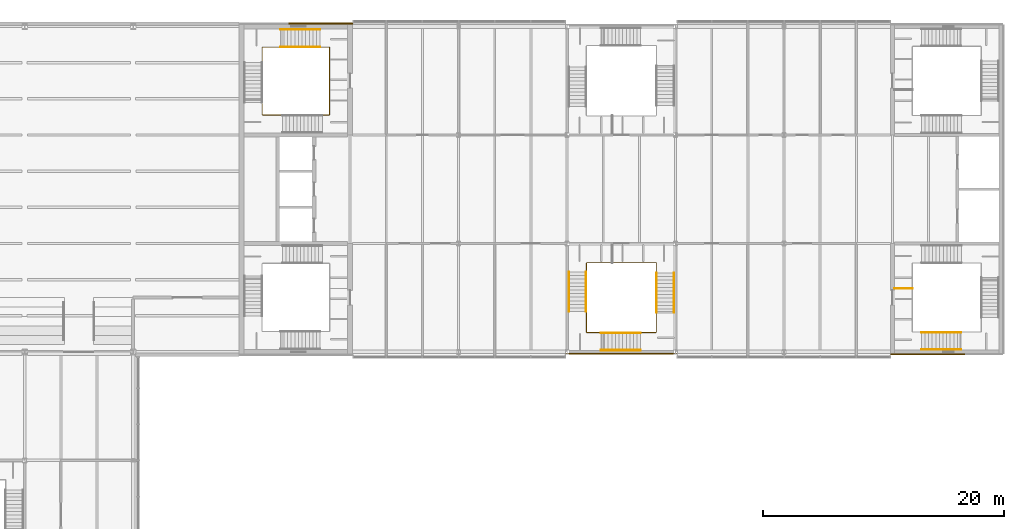
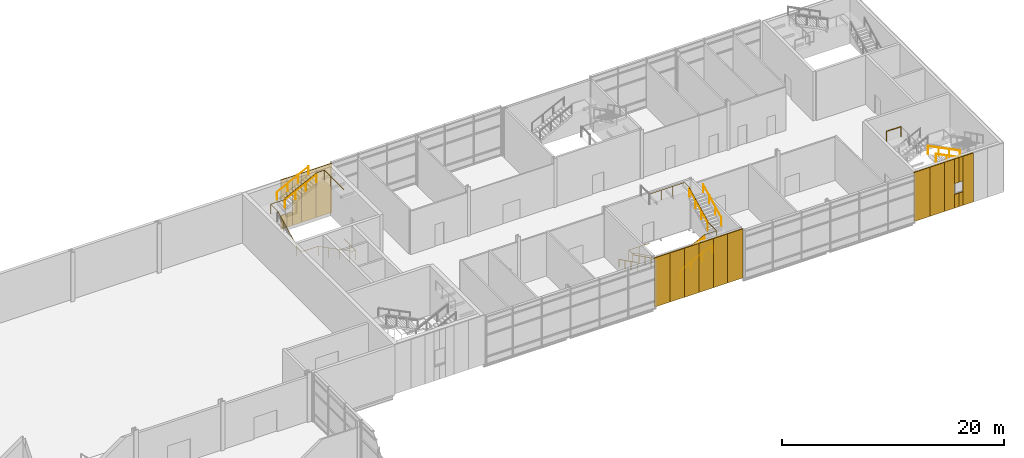
# One storey, part 50 of 52: 21 coverings, 13 railings.
"""IFC4 building model written with IfcOpenShell, lengths in metres."""

from ifc_helpers import new_model, si_unit, direction, frame, origin, origin_2d, place, context, subcontext, project, spatial, rectangle, circle, extrude, material, layer, layer_set, type_object, element, save


model = new_model("IFC4")

# Units and contexts
model_context = context("Model", 3, precision=1e-05, world=origin(), true_north=direction((0.0, 1.0)))
body_context = subcontext(model_context, "Body", "Model", "MODEL_VIEW")
ifc_project = project(units=[si_unit("LENGTHUNIT", "METRE"), si_unit("AREAUNIT", "SQUARE_METRE"), si_unit("VOLUMEUNIT", "CUBIC_METRE"), si_unit("PLANEANGLEUNIT", "RADIAN"), si_unit("MASSUNIT", "GRAM", prefix="KILO")], contexts=[model_context])

# Site, building, storey
site_placement = place(None, origin())
site = spatial("IfcSite", under=ifc_project, at=site_placement, CompositionType="ELEMENT")
building_placement = place(site_placement, origin())
building = spatial("IfcBuilding", under=site, at=building_placement, Name="Azimuth Sports and Learning Centre", CompositionType="ELEMENT")
storey_placement = place(building_placement, frame((0.0, 0.0, 16.199951171875)))
storey = spatial("IfcBuildingStorey", under=building, at=storey_placement, Name="L03", CompositionType="ELEMENT", Elevation=16.199951171875)

# Coverings
ifc_material_1 = material(Name="Cladding panel")
ifc_layer = layer(ifc_material_1, 0.10009765625)
ifc_layer_set = layer_set([ifc_layer], Name="Cladding panel")
covering_type = type_object("IfcCoveringType", Name="Cladding panel 100", PredefinedType="CLADDING", material=ifc_layer_set)
covering_1_placement = place(storey_placement, frame((135.699951171875, 89.85009765625, 0.0), z_axis=(0.0, 0.0, 1.0), x_axis=(1.0, 0.0, 0.0)))
element("IfcCovering", 1, at=covering_1_placement, inside=storey, type_object=covering_type, Name="Cladding panel S-EM1 L03 1", PredefinedType="CLADDING", context=body_context, shape_type="SweptSolid", body=[
    extrude(rectangle(XDim=1.60009765625, YDim=0.10009765625, at=origin_2d()), origin(), (0.0, 0.0, 1.0), 5.39990234375),
])
for number, where, z_axis, x_axis, name in (
    (2, (137.25, 89.85009765625, 0.0), (0.0, 0.0, 1.0), (1.0, 0.0, 0.0), "Cladding panel S-EM1 L03 2"),
    (3, (138.75, 89.85009765625, 0.0), (0.0, 0.0, 1.0), (1.0, 0.0, 0.0), "Cladding panel S-EM1 L03 3"),
    (4, (140.25, 89.85009765625, 0.0), (0.0, 0.0, 1.0), (1.0, 0.0, 0.0), "Cladding panel S-EM1 L03 4"),
    (5, (141.75, 89.85009765625, 0.0), (0.0, 0.0, 1.0), (1.0, 0.0, 0.0), "Cladding panel S-EM1 L03 5"),
):
    element("IfcCovering", number, at=place(storey_placement, frame(where, z_axis=z_axis, x_axis=x_axis)), inside=storey, type_object=covering_type, Name=name, PredefinedType="CLADDING", context=body_context, shape_type="SweptSolid", body=[
        extrude(rectangle(XDim=1.5, YDim=0.10009765625, at=origin_2d()), origin(), (0.0, 0.0, 1.0), 5.39990234375),
    ])
covering_2_placement = place(storey_placement, frame((143.300048828125, 89.85009765625, 0.0), z_axis=(0.0, 0.0, 1.0), x_axis=(1.0, 0.0, 0.0)))
element("IfcCovering", 6, at=covering_2_placement, inside=storey, type_object=covering_type, Name="Cladding panel S-EM1 L03 6", PredefinedType="CLADDING", context=body_context, shape_type="SweptSolid", body=[
    extrude(rectangle(XDim=1.60009765625, YDim=0.10009765625, at=origin_2d()), origin(), (0.0, 0.0, 1.0), 5.39990234375),
])
covering_3_placement = place(storey_placement, frame((162.675048828125, 89.800048828125, 0.0), z_axis=(0.0, 0.0, 1.0), x_axis=(1.0, 0.0, 0.0)))
element("IfcCovering", 7, at=covering_3_placement, inside=storey, type_object=covering_type, Name="Cladding panel S-END E L03 1", PredefinedType="CLADDING", context=body_context, shape_type="SweptSolid", body=[
    extrude(rectangle(XDim=1.64990234375, YDim=0.10009765625, at=origin_2d()), origin(), (0.0, 0.0, 1.0), 5.39990234375),
])
covering_4_placement = place(storey_placement, frame((164.25, 89.800048828125, 0.0), z_axis=(0.0, 0.0, 1.0), x_axis=(1.0, 0.0, 0.0)))
element("IfcCovering", 8, at=covering_4_placement, inside=storey, type_object=covering_type, Name="Cladding panel S-END E L03 2", PredefinedType="CLADDING", context=body_context, shape_type="SweptSolid", body=[
    extrude(rectangle(XDim=1.5, YDim=0.10009765625, at=origin_2d()), origin(), (0.0, 0.0, 1.0), 5.39990234375),
])
covering_5_placement = place(storey_placement, frame((165.52490234375, 89.800048828125, 0.0), z_axis=(0.0, 0.0, 1.0), x_axis=(1.0, 0.0, 0.0)))
element("IfcCovering", 9, at=covering_5_placement, inside=storey, type_object=covering_type, Name="Cladding panel S-END E L03 3", PredefinedType="CLADDING", context=body_context, shape_type="SweptSolid", body=[
    extrude(rectangle(XDim=1.050048828125, YDim=0.10009765625, at=origin_2d()), origin(), (0.0, 0.0, 1.0), 5.39990234375),
])
covering_6_placement = place(storey_placement, frame((166.27490234375, 89.800048828125, 0.0), z_axis=(0.0, 0.0, 1.0), x_axis=(1.0, 0.0, 0.0)))
element("IfcCovering", 10, at=covering_6_placement, inside=storey, type_object=covering_type, Name="Cladding panel S-END E L03 4", PredefinedType="CLADDING", context=body_context, shape_type="SweptSolid", body=[
    extrude(rectangle(XDim=0.449951171875, YDim=0.10009765625, at=origin_2d()), origin(), (0.0, 0.0, 1.0), 1.5),
])
covering_7_placement = place(storey_placement, frame((166.27490234375, 89.800048828125, 2.7001953125), z_axis=(0.0, 0.0, 1.0), x_axis=(1.0, 0.0, 0.0)))
element("IfcCovering", 11, at=covering_7_placement, inside=storey, type_object=covering_type, Name="Cladding panel S-END E L03 5", PredefinedType="CLADDING", context=body_context, shape_type="SweptSolid", body=[
    extrude(rectangle(XDim=0.449951171875, YDim=0.10009765625, at=origin_2d()), origin(), (0.0, 0.0, 1.0), 2.699951171875),
])
covering_8_placement = place(storey_placement, frame((167.47509765625, 89.800048828125, 0.0), z_axis=(0.0, 0.0, 1.0), x_axis=(1.0, 0.0, 0.0)))
element("IfcCovering", 12, at=covering_8_placement, inside=storey, type_object=covering_type, Name="Cladding panel S-END E L03 6", PredefinedType="CLADDING", context=body_context, shape_type="SweptSolid", body=[
    extrude(rectangle(XDim=1.050048828125, YDim=0.10009765625, at=origin_2d()), origin(), (0.0, 0.0, 1.0), 5.39990234375),
])
covering_9_placement = place(storey_placement, frame((166.72509765625, 89.800048828125, 0.0), z_axis=(0.0, 0.0, 1.0), x_axis=(1.0, 0.0, 0.0)))
element("IfcCovering", 13, at=covering_9_placement, inside=storey, type_object=covering_type, Name="Cladding panel S-END E L03 7", PredefinedType="CLADDING", context=body_context, shape_type="SweptSolid", body=[
    extrude(rectangle(XDim=0.449951171875, YDim=0.10009765625, at=origin_2d()), origin(), (0.0, 0.0, 1.0), 1.5),
])
covering_10_placement = place(storey_placement, frame((166.72509765625, 89.800048828125, 2.7001953125), z_axis=(0.0, 0.0, 1.0), x_axis=(1.0, 0.0, 0.0)))
element("IfcCovering", 14, at=covering_10_placement, inside=storey, type_object=covering_type, Name="Cladding panel S-END E L03 8", PredefinedType="CLADDING", context=body_context, shape_type="SweptSolid", body=[
    extrude(rectangle(XDim=0.449951171875, YDim=0.10009765625, at=origin_2d()), origin(), (0.0, 0.0, 1.0), 2.699951171875),
])
covering_11_placement = place(storey_placement, frame((116.35009765625, 117.25, 0.0), z_axis=(0.0, 0.0, 1.0), x_axis=(-1.0, 0.0, 0.0)))
element("IfcCovering", 15, at=covering_11_placement, inside=storey, type_object=covering_type, Name="Cladding panel N-CORE E L03 1", PredefinedType="CLADDING", context=body_context, shape_type="SweptSolid", body=[
    extrude(rectangle(XDim=1.699951171875, YDim=0.10009765625, at=origin_2d()), origin(), (0.0, 0.0, 1.0), 5.39990234375),
])
covering_12_placement = place(storey_placement, frame((114.75, 117.25, 0.0), z_axis=(0.0, 0.0, 1.0), x_axis=(-1.0, 0.0, 0.0)))
element("IfcCovering", 16, at=covering_12_placement, inside=storey, type_object=covering_type, Name="Cladding panel N-CORE E L03 2", PredefinedType="CLADDING", context=body_context, shape_type="SweptSolid", body=[
    extrude(rectangle(XDim=1.5, YDim=0.10009765625, at=origin_2d()), origin(), (0.0, 0.0, 1.0), 5.39990234375),
])
covering_13_placement = place(storey_placement, frame((113.550048828125, 117.25, 0.0), z_axis=(0.0, 0.0, 1.0), x_axis=(-1.0, 0.0, 0.0)))
element("IfcCovering", 17, at=covering_13_placement, inside=storey, type_object=covering_type, Name="Cladding panel N-CORE E L03 3", PredefinedType="CLADDING", context=body_context, shape_type="SweptSolid", body=[
    extrude(rectangle(XDim=0.89990234375, YDim=0.10009765625, at=origin_2d()), origin(), (0.0, 0.0, 1.0), 5.39990234375),
])
covering_14_placement = place(storey_placement, frame((112.800048828125, 117.25, 0.0), z_axis=(0.0, 0.0, 1.0), x_axis=(-1.0, 0.0, 0.0)))
element("IfcCovering", 18, at=covering_14_placement, inside=storey, type_object=covering_type, Name="Cladding panel N-CORE E L03 4", PredefinedType="CLADDING", context=body_context, shape_type="SweptSolid", body=[
    extrude(rectangle(XDim=0.60009765625, YDim=0.10009765625, at=origin_2d()), origin(), (0.0, 0.0, 1.0), 1.5),
])
covering_15_placement = place(storey_placement, frame((112.800048828125, 117.25, 3.300048828125), z_axis=(0.0, 0.0, 1.0), x_axis=(-1.0, 0.0, 0.0)))
element("IfcCovering", 19, at=covering_15_placement, inside=storey, type_object=covering_type, Name="Cladding panel N-CORE E L03 5", PredefinedType="CLADDING", context=body_context, shape_type="SweptSolid", body=[
    extrude(rectangle(XDim=0.60009765625, YDim=0.10009765625, at=origin_2d()), origin(), (0.0, 0.0, 1.0), 2.10009765625),
])
covering_16_placement = place(storey_placement, frame((112.199951171875, 117.25, 0.0), z_axis=(0.0, 0.0, 1.0), x_axis=(-1.0, 0.0, 0.0)))
element("IfcCovering", 20, at=covering_16_placement, inside=storey, type_object=covering_type, Name="Cladding panel N-CORE E L03 7", PredefinedType="CLADDING", context=body_context, shape_type="SweptSolid", body=[
    extrude(rectangle(XDim=0.60009765625, YDim=0.10009765625, at=origin_2d()), origin(), (0.0, 0.0, 1.0), 1.5),
])
covering_17_placement = place(storey_placement, frame((112.199951171875, 117.25, 3.300048828125), z_axis=(0.0, 0.0, 1.0), x_axis=(-1.0, 0.0, 0.0)))
element("IfcCovering", 21, at=covering_17_placement, inside=storey, type_object=covering_type, Name="Cladding panel N-CORE E L03 8", PredefinedType="CLADDING", context=body_context, shape_type="SweptSolid", body=[
    extrude(rectangle(XDim=0.60009765625, YDim=0.10009765625, at=origin_2d()), origin(), (0.0, 0.0, 1.0), 2.10009765625),
])

# Railings
ifc_material_2 = material(Name="Stainless steel", Category="steel")
railing_type_1 = type_object("IfcRailingType", Name="Stair guard 1100", PredefinedType="GUARDRAIL", material=ifc_material_2)
railing_1_placement = place(storey_placement, frame((115.2900390625, 111.75, 0.0)))
element("IfcRailing", 22, at=railing_1_placement, inside=storey, type_object=railing_type_1, Name="Guard E2 L03 well", PredefinedType="GUARDRAIL", context=body_context, shape_type="SweptSolid", body=[
    extrude(circle(Radius=0.02392578125, at=origin_2d()), frame((0.0, 0.0, 1.076171875), z_axis=(0.0, -1.0, 0.0), x_axis=(1.0, 0.0, 0.0)), (0.0, 0.0, 1.0), 2.090087890625),
    extrude(circle(Radius=0.02392578125, at=origin_2d()), frame((0.0, -2.090087890625, 1.076171875), z_axis=(-1.0, 0.0, 0.0), x_axis=(0.0, -1.0, 0.0)), (0.0, 0.0, 1.0), 0.60009765625),
    extrude(circle(Radius=0.02392578125, at=origin_2d()), frame((-0.60009765625, -2.090087890625, 1.076171875), z_axis=(0.0, 0.0, 1.0), x_axis=(1.0, 0.0, 0.0)), (0.0, 0.0, 1.0), 0.150146484375),
    extrude(circle(Radius=0.02392578125, at=origin_2d()), frame((-0.60009765625, -2.090087890625, 1.22607421875), z_axis=(-0.894440424912, 0.0, 0.447187126696), x_axis=(0.0, -1.0, 0.0)), (0.0, 0.0, 1.0), 3.689453125),
    extrude(circle(Radius=0.02392578125, at=origin_2d()), frame((-3.900146484375, -2.090087890625, 2.8759765625), z_axis=(-1.0, 0.0, 0.0), x_axis=(0.0, -1.0, 0.0)), (0.0, 0.0, 1.0), 1.679931640625),
    extrude(circle(Radius=0.02392578125, at=origin_2d()), frame((-5.580078125, -2.090087890625, 2.8759765625), z_axis=(0.0, 1.0, 0.0), x_axis=(-1.0, 0.0, 0.0)), (0.0, 0.0, 1.0), 1.050048828125),
    extrude(circle(Radius=0.02392578125, at=origin_2d()), frame((-5.580078125, -1.0400390625, 2.8759765625), z_axis=(0.0, 0.0, 1.0), x_axis=(1.0, 0.0, 0.0)), (0.0, 0.0, 1.0), 0.14990234375),
    extrude(circle(Radius=0.02392578125, at=origin_2d()), frame((-5.580078125, -1.0400390625, 3.02587890625), z_axis=(0.0, 0.894413956696, 0.447240063129), x_axis=(-1.0, 0.0, 0.0)), (0.0, 0.0, 1.0), 3.689697265625),
    extrude(circle(Radius=0.02392578125, at=origin_2d()), frame((-5.580078125, 2.260009765625, 4.67626953125), z_axis=(0.0, 1.0, 0.0), x_axis=(-1.0, 0.0, 0.0)), (0.0, 0.0, 1.0), 1.280029296875),
    extrude(circle(Radius=0.02392578125, at=origin_2d()), frame((-5.580078125, 3.5400390625, 4.67626953125), z_axis=(1.0, 0.0, 0.0), x_axis=(0.0, 1.0, 0.0)), (0.0, 0.0, 1.0), 1.5),
    extrude(circle(Radius=0.02392578125, at=origin_2d()), frame((-4.080078125, 3.5400390625, 4.67626953125), z_axis=(0.0, 0.0, 1.0), x_axis=(1.0, 0.0, 0.0)), (0.0, 0.0, 1.0), 0.14990234375),
    extrude(circle(Radius=0.02392578125, at=origin_2d()), frame((-4.080078125, 3.5400390625, 4.826171875), z_axis=(0.894413956696, 0.0, 0.447240063129), x_axis=(0.0, 1.0, 0.0)), (0.0, 0.0, 1.0), 3.689697265625),
    extrude(circle(Radius=0.02392578125, at=origin_2d()), frame((-0.780029296875, 3.5400390625, 6.47607421875), z_axis=(1.0, 0.0, 0.0), x_axis=(0.0, 1.0, 0.0)), (0.0, 0.0, 1.0), 0.780029296875),
    extrude(circle(Radius=0.02392578125, at=origin_2d()), frame((0.0, 3.5400390625, 6.47607421875), z_axis=(0.0, -1.0, 0.0), x_axis=(1.0, 0.0, 0.0)), (0.0, 0.0, 1.0), 3.5400390625),
    extrude(circle(Radius=0.01611328125, at=origin_2d()), origin(), (0.0, 0.0, 1.0), 1.052001953125),
    extrude(circle(Radius=0.01611328125, at=origin_2d()), frame((0.0, -1.044921875, 0.0)), (0.0, 0.0, 1.0), 1.052001953125),
    extrude(circle(Radius=0.01611328125, at=origin_2d()), frame((0.0, -2.090087890625, 0.0)), (0.0, 0.0, 1.0), 1.052001953125),
    extrude(circle(Radius=0.01611328125, at=origin_2d()), frame((-0.60009765625, -2.090087890625, 0.0)), (0.0, 0.0, 1.0), 1.052001953125),
    extrude(circle(Radius=0.01611328125, at=origin_2d()), frame((-0.60009765625, -2.090087890625, 0.150146484375)), (0.0, 0.0, 1.0), 1.052001953125),
    extrude(circle(Radius=0.01611328125, at=origin_2d()), frame((-1.7001953125, -2.090087890625, 0.7001953125)), (0.0, 0.0, 1.0), 1.052001953125),
    extrude(circle(Radius=0.01611328125, at=origin_2d()), frame((-2.800048828125, -2.090087890625, 1.25)), (0.0, 0.0, 1.0), 1.052001953125),
    extrude(circle(Radius=0.01611328125, at=origin_2d()), frame((-3.900146484375, -2.090087890625, 1.800048828125)), (0.0, 0.0, 1.0), 1.052001953125),
    extrude(circle(Radius=0.01611328125, at=origin_2d()), frame((-4.740234375, -2.090087890625, 1.800048828125)), (0.0, 0.0, 1.0), 1.052001953125),
    extrude(circle(Radius=0.01611328125, at=origin_2d()), frame((-5.580078125, -2.090087890625, 1.800048828125)), (0.0, 0.0, 1.0), 1.052001953125),
    extrude(circle(Radius=0.01611328125, at=origin_2d()), frame((-5.580078125, -1.0400390625, 1.800048828125)), (0.0, 0.0, 1.0), 1.052001953125),
    extrude(circle(Radius=0.01611328125, at=origin_2d()), frame((-5.580078125, -1.0400390625, 1.949951171875)), (0.0, 0.0, 1.0), 1.052001953125),
    extrude(circle(Radius=0.01611328125, at=origin_2d()), frame((-5.580078125, 0.06005859375, 2.5)), (0.0, 0.0, 1.0), 1.052001953125),
    extrude(circle(Radius=0.01611328125, at=origin_2d()), frame((-5.580078125, 1.159912109375, 3.050048828125)), (0.0, 0.0, 1.0), 1.052001953125),
    extrude(circle(Radius=0.01611328125, at=origin_2d()), frame((-5.580078125, 2.260009765625, 3.60009765625)), (0.0, 0.0, 1.0), 1.052001953125),
    extrude(circle(Radius=0.01611328125, at=origin_2d()), frame((-5.580078125, 3.5400390625, 3.60009765625)), (0.0, 0.0, 1.0), 1.052001953125),
    extrude(circle(Radius=0.01611328125, at=origin_2d()), frame((-4.080078125, 3.5400390625, 3.60009765625)), (0.0, 0.0, 1.0), 1.052001953125),
    extrude(circle(Radius=0.01611328125, at=origin_2d()), frame((-4.080078125, 3.5400390625, 3.75)), (0.0, 0.0, 1.0), 1.052001953125),
    extrude(circle(Radius=0.01611328125, at=origin_2d()), frame((-2.97998046875, 3.5400390625, 4.300048828125)), (0.0, 0.0, 1.0), 1.052001953125),
    extrude(circle(Radius=0.01611328125, at=origin_2d()), frame((-1.880126953125, 3.5400390625, 4.85009765625)), (0.0, 0.0, 1.0), 1.052001953125),
    extrude(circle(Radius=0.01611328125, at=origin_2d()), frame((-0.780029296875, 3.5400390625, 5.400146484375)), (0.0, 0.0, 1.0), 1.052001953125),
    extrude(circle(Radius=0.01611328125, at=origin_2d()), frame((0.0, 3.5400390625, 5.400146484375)), (0.0, 0.0, 1.0), 1.052001953125),
    extrude(circle(Radius=0.01611328125, at=origin_2d()), frame((0.0, 2.360107421875, 5.400146484375)), (0.0, 0.0, 1.0), 1.052001953125),
    extrude(circle(Radius=0.01611328125, at=origin_2d()), frame((0.0, 1.179931640625, 5.400146484375)), (0.0, 0.0, 1.0), 1.052001953125),
    extrude(circle(Radius=0.01611328125, at=origin_2d()), frame((0.0, 0.0, 5.400146484375)), (0.0, 0.0, 1.0), 1.052001953125),
])
railing_2_placement = place(storey_placement, frame((162.159912109375, 95.25, 5.400146484375)))
element("IfcRailing", 23, at=railing_2_placement, inside=storey, type_object=railing_type_1, Name="Guard EW1 L03 top landing end", PredefinedType="GUARDRAIL", context=body_context, shape_type="SweptSolid", body=[
    extrude(circle(Radius=0.02392578125, at=origin_2d()), frame((0.0, 0.0, 1.076171875), z_axis=(1.0, 0.0, 0.0), x_axis=(0.0, 1.0, 0.0)), (0.0, 0.0, 1.0), 1.5),
    extrude(circle(Radius=0.01611328125, at=origin_2d()), origin(), (0.0, 0.0, 1.0), 1.052001953125),
    extrude(circle(Radius=0.01611328125, at=origin_2d()), frame((1.5, 0.0, 0.0)), (0.0, 0.0, 1.0), 1.052001953125),
])
railing_3_placement = place(storey_placement, frame((138.75, 97.389892578125, 0.0)))
element("IfcRailing", 24, at=railing_3_placement, inside=storey, type_object=railing_type_1, Name="Guard EM1 L03 well", PredefinedType="GUARDRAIL", context=body_context, shape_type="SweptSolid", body=[
    extrude(circle(Radius=0.02392578125, at=origin_2d()), frame((0.0, 0.0, 1.076171875), z_axis=(-1.0, 0.0, 0.0), x_axis=(0.0, -1.0, 0.0)), (0.0, 0.0, 1.0), 2.139892578125),
    extrude(circle(Radius=0.02392578125, at=origin_2d()), frame((-2.139892578125, 0.0, 1.076171875), z_axis=(0.0, -1.0, 0.0), x_axis=(1.0, 0.0, 0.0)), (0.0, 0.0, 1.0), 0.75),
    extrude(circle(Radius=0.02392578125, at=origin_2d()), frame((-2.139892578125, -0.75, 1.076171875), z_axis=(0.0, 0.0, 1.0), x_axis=(1.0, 0.0, 0.0)), (0.0, 0.0, 1.0), 0.150146484375),
    extrude(circle(Radius=0.02392578125, at=origin_2d()), frame((-2.139892578125, -0.75, 1.22607421875), z_axis=(0.0, -0.894427191, 0.4472135955), x_axis=(1.0, 0.0, 0.0)), (0.0, 0.0, 1.0), 3.689208984375),
    extrude(circle(Radius=0.02392578125, at=origin_2d()), frame((-2.139892578125, -4.0498046875, 2.8759765625), z_axis=(0.0, -1.0, 0.0), x_axis=(1.0, 0.0, 0.0)), (0.0, 0.0, 1.0), 1.72998046875),
    extrude(circle(Radius=0.02392578125, at=origin_2d()), frame((-2.139892578125, -5.77978515625, 2.8759765625), z_axis=(1.0, 0.0, 0.0), x_axis=(0.0, 1.0, 0.0)), (0.0, 0.0, 1.0), 1.199951171875),
    extrude(circle(Radius=0.02392578125, at=origin_2d()), frame((-0.93994140625, -5.77978515625, 2.8759765625), z_axis=(0.0, 0.0, 1.0), x_axis=(1.0, 0.0, 0.0)), (0.0, 0.0, 1.0), 0.14990234375),
    extrude(circle(Radius=0.02392578125, at=origin_2d()), frame((-0.93994140625, -5.77978515625, 3.02587890625), z_axis=(0.894413956696, 0.0, 0.447240063129), x_axis=(0.0, 1.0, 0.0)), (0.0, 0.0, 1.0), 3.689697265625),
    extrude(circle(Radius=0.02392578125, at=origin_2d()), frame((2.360107421875, -5.77978515625, 4.67626953125), z_axis=(1.0, 0.0, 0.0), x_axis=(0.0, 1.0, 0.0)), (0.0, 0.0, 1.0), 1.27978515625),
    extrude(circle(Radius=0.02392578125, at=origin_2d()), frame((3.639892578125, -5.77978515625, 4.67626953125), z_axis=(0.0, 1.0, 0.0), x_axis=(-1.0, 0.0, 0.0)), (0.0, 0.0, 1.0), 1.64990234375),
    extrude(circle(Radius=0.02392578125, at=origin_2d()), frame((3.639892578125, -4.1298828125, 4.67626953125), z_axis=(0.0, 0.0, 1.0), x_axis=(1.0, 0.0, 0.0)), (0.0, 0.0, 1.0), 0.14990234375),
    extrude(circle(Radius=0.02392578125, at=origin_2d()), frame((3.639892578125, -4.1298828125, 4.826171875), z_axis=(0.0, 0.894413956696, 0.447240063129), x_axis=(-1.0, 0.0, 0.0)), (0.0, 0.0, 1.0), 3.689697265625),
    extrude(circle(Radius=0.02392578125, at=origin_2d()), frame((3.639892578125, -0.829833984375, 6.47607421875), z_axis=(0.0, 1.0, 0.0), x_axis=(-1.0, 0.0, 0.0)), (0.0, 0.0, 1.0), 0.829833984375),
    extrude(circle(Radius=0.02392578125, at=origin_2d()), frame((3.639892578125, 0.0, 6.47607421875), z_axis=(-1.0, 0.0, 0.0), x_axis=(0.0, -1.0, 0.0)), (0.0, 0.0, 1.0), 3.639892578125),
    extrude(circle(Radius=0.01611328125, at=origin_2d()), origin(), (0.0, 0.0, 1.0), 1.052001953125),
    extrude(circle(Radius=0.01611328125, at=origin_2d()), frame((-1.06982421875, 0.0, 0.0)), (0.0, 0.0, 1.0), 1.052001953125),
    extrude(circle(Radius=0.01611328125, at=origin_2d()), frame((-2.139892578125, 0.0, 0.0)), (0.0, 0.0, 1.0), 1.052001953125),
    extrude(circle(Radius=0.01611328125, at=origin_2d()), frame((-2.139892578125, -0.75, 0.0)), (0.0, 0.0, 1.0), 1.052001953125),
    extrude(circle(Radius=0.01611328125, at=origin_2d()), frame((-2.139892578125, -0.75, 0.150146484375)), (0.0, 0.0, 1.0), 1.052001953125),
    extrude(circle(Radius=0.01611328125, at=origin_2d()), frame((-2.139892578125, -1.849853515625, 0.7001953125)), (0.0, 0.0, 1.0), 1.052001953125),
    extrude(circle(Radius=0.01611328125, at=origin_2d()), frame((-2.139892578125, -2.949951171875, 1.25)), (0.0, 0.0, 1.0), 1.052001953125),
    extrude(circle(Radius=0.01611328125, at=origin_2d()), frame((-2.139892578125, -4.0498046875, 1.800048828125)), (0.0, 0.0, 1.0), 1.052001953125),
    extrude(circle(Radius=0.01611328125, at=origin_2d()), frame((-2.139892578125, -4.914794921875, 1.800048828125)), (0.0, 0.0, 1.0), 1.052001953125),
    extrude(circle(Radius=0.01611328125, at=origin_2d()), frame((-2.139892578125, -5.77978515625, 1.800048828125)), (0.0, 0.0, 1.0), 1.052001953125),
    extrude(circle(Radius=0.01611328125, at=origin_2d()), frame((-0.93994140625, -5.77978515625, 1.800048828125)), (0.0, 0.0, 1.0), 1.052001953125),
    extrude(circle(Radius=0.01611328125, at=origin_2d()), frame((-0.93994140625, -5.77978515625, 1.949951171875)), (0.0, 0.0, 1.0), 1.052001953125),
    extrude(circle(Radius=0.01611328125, at=origin_2d()), frame((0.16015625, -5.77978515625, 2.5)), (0.0, 0.0, 1.0), 1.052001953125),
    extrude(circle(Radius=0.01611328125, at=origin_2d()), frame((1.260009765625, -5.77978515625, 3.050048828125)), (0.0, 0.0, 1.0), 1.052001953125),
    extrude(circle(Radius=0.01611328125, at=origin_2d()), frame((2.360107421875, -5.77978515625, 3.60009765625)), (0.0, 0.0, 1.0), 1.052001953125),
    extrude(circle(Radius=0.01611328125, at=origin_2d()), frame((3.639892578125, -5.77978515625, 3.60009765625)), (0.0, 0.0, 1.0), 1.052001953125),
    extrude(circle(Radius=0.01611328125, at=origin_2d()), frame((3.639892578125, -4.954833984375, 3.60009765625)), (0.0, 0.0, 1.0), 1.052001953125),
    extrude(circle(Radius=0.01611328125, at=origin_2d()), frame((3.639892578125, -4.1298828125, 3.60009765625)), (0.0, 0.0, 1.0), 1.052001953125),
    extrude(circle(Radius=0.01611328125, at=origin_2d()), frame((3.639892578125, -4.1298828125, 3.75)), (0.0, 0.0, 1.0), 1.052001953125),
    extrude(circle(Radius=0.01611328125, at=origin_2d()), frame((3.639892578125, -3.02978515625, 4.300048828125)), (0.0, 0.0, 1.0), 1.052001953125),
    extrude(circle(Radius=0.01611328125, at=origin_2d()), frame((3.639892578125, -1.929931640625, 4.85009765625)), (0.0, 0.0, 1.0), 1.052001953125),
    extrude(circle(Radius=0.01611328125, at=origin_2d()), frame((3.639892578125, -0.829833984375, 5.400146484375)), (0.0, 0.0, 1.0), 1.052001953125),
    extrude(circle(Radius=0.01611328125, at=origin_2d()), frame((3.639892578125, 0.0, 5.400146484375)), (0.0, 0.0, 1.0), 1.052001953125),
    extrude(circle(Radius=0.01611328125, at=origin_2d()), frame((2.426513671875, 0.0, 5.400146484375)), (0.0, 0.0, 1.0), 1.052001953125),
    extrude(circle(Radius=0.01611328125, at=origin_2d()), frame((1.21337890625, 0.0, 5.400146484375)), (0.0, 0.0, 1.0), 1.052001953125),
    extrude(circle(Radius=0.01611328125, at=origin_2d()), frame((0.0, 0.0, 5.400146484375)), (0.0, 0.0, 1.0), 1.052001953125),
])
ifc_material_3 = material(Name="Stainless steel", Category="steel")
railing_type_2 = type_object("IfcRailingType", Name="Stair handrail 42", PredefinedType="HANDRAIL", material=ifc_material_3)
for number, where, name in (
    (25, (111.2099609375, 115.320068359375, 3.75), "Handrail E2 L03 flight 3 inner"),
    (26, (111.2099609375, 116.760009765625, 3.75), "Handrail E2 L03 flight 3 outer"),
):
    element("IfcRailing", number, at=place(storey_placement, frame(where)), inside=storey, type_object=railing_type_2, Name=name, PredefinedType="HANDRAIL", context=body_context, shape_type="SweptSolid", body=[
        extrude(circle(Radius=0.02099609375, at=origin_2d()), frame((0.0, 0.0, 0.87890625), z_axis=(0.894413956696, 0.0, 0.447240063129), x_axis=(0.0, 1.0, 0.0)), (0.0, 0.0, 1.0), 3.689697265625),
        extrude(circle(Radius=0.01611328125, at=origin_2d()), origin(), (0.0, 0.0, 1.0), 0.85791015625),
        extrude(circle(Radius=0.01611328125, at=origin_2d()), frame((1.10009765625, 0.0, 0.550048828125)), (0.0, 0.0, 1.0), 0.85791015625),
        extrude(circle(Radius=0.01611328125, at=origin_2d()), frame((2.199951171875, 0.0, 1.10009765625)), (0.0, 0.0, 1.0), 0.85791015625),
        extrude(circle(Radius=0.01611328125, at=origin_2d()), frame((3.300048828125, 0.0, 1.650146484375)), (0.0, 0.0, 1.0), 0.85791015625),
    ])
for number, where, name in (
    (27, (167.68994140625, 91.6298828125, 3.75), "Handrail EW1 L03 flight 3 inner"),
    (28, (167.68994140625, 90.18994140625, 3.75), "Handrail EW1 L03 flight 3 outer"),
):
    element("IfcRailing", number, at=place(storey_placement, frame(where)), inside=storey, type_object=railing_type_2, Name=name, PredefinedType="HANDRAIL", context=body_context, shape_type="SweptSolid", body=[
        extrude(circle(Radius=0.02099609375, at=origin_2d()), frame((0.0, 0.0, 0.87890625), z_axis=(-0.894413956696, 0.0, 0.447240063129), x_axis=(0.0, -1.0, 0.0)), (0.0, 0.0, 1.0), 3.689697265625),
        extrude(circle(Radius=0.01611328125, at=origin_2d()), origin(), (0.0, 0.0, 1.0), 0.85791015625),
        extrude(circle(Radius=0.01611328125, at=origin_2d()), frame((-1.10009765625, 0.0, 0.550048828125)), (0.0, 0.0, 1.0), 0.85791015625),
        extrude(circle(Radius=0.01611328125, at=origin_2d()), frame((-2.199951171875, 0.0, 1.10009765625)), (0.0, 0.0, 1.0), 0.85791015625),
        extrude(circle(Radius=0.01611328125, at=origin_2d()), frame((-3.300048828125, 0.0, 1.650146484375)), (0.0, 0.0, 1.0), 0.85791015625),
    ])
for number, where, name in (
    (29, (136.580078125, 96.639892578125, 0.150146484375), "Handrail EM1 L03 flight 1 inner"),
    (30, (135.139892578125, 96.639892578125, 0.150146484375), "Handrail EM1 L03 flight 1 outer"),
):
    element("IfcRailing", number, at=place(storey_placement, frame(where)), inside=storey, type_object=railing_type_2, Name=name, PredefinedType="HANDRAIL", context=body_context, shape_type="SweptSolid", body=[
        extrude(circle(Radius=0.02099609375, at=origin_2d()), frame((0.0, 0.0, 0.87890625), z_axis=(0.0, -0.894427191, 0.4472135955), x_axis=(1.0, 0.0, 0.0)), (0.0, 0.0, 1.0), 3.689208984375),
        extrude(circle(Radius=0.01611328125, at=origin_2d()), origin(), (0.0, 0.0, 1.0), 0.85791015625),
        extrude(circle(Radius=0.01611328125, at=origin_2d()), frame((0.0, -1.099853515625, 0.550048828125)), (0.0, 0.0, 1.0), 0.85791015625),
        extrude(circle(Radius=0.01611328125, at=origin_2d()), frame((0.0, -2.199951171875, 1.099853515625)), (0.0, 0.0, 1.0), 0.85791015625),
        extrude(circle(Radius=0.01611328125, at=origin_2d()), frame((0.0, -3.2998046875, 1.64990234375)), (0.0, 0.0, 1.0), 0.85791015625),
    ])
for number, where, name in (
    (31, (137.81005859375, 91.580078125, 1.949951171875), "Handrail EM1 L03 flight 2 inner"),
    (32, (137.81005859375, 90.139892578125, 1.949951171875), "Handrail EM1 L03 flight 2 outer"),
):
    element("IfcRailing", number, at=place(storey_placement, frame(where)), inside=storey, type_object=railing_type_2, Name=name, PredefinedType="HANDRAIL", context=body_context, shape_type="SweptSolid", body=[
        extrude(circle(Radius=0.02099609375, at=origin_2d()), frame((0.0, 0.0, 0.87890625), z_axis=(0.894413956696, 0.0, 0.447240063129), x_axis=(0.0, 1.0, 0.0)), (0.0, 0.0, 1.0), 3.689697265625),
        extrude(circle(Radius=0.01611328125, at=origin_2d()), origin(), (0.0, 0.0, 1.0), 0.85791015625),
        extrude(circle(Radius=0.01611328125, at=origin_2d()), frame((1.10009765625, 0.0, 0.550048828125)), (0.0, 0.0, 1.0), 0.85791015625),
        extrude(circle(Radius=0.01611328125, at=origin_2d()), frame((2.199951171875, 0.0, 1.10009765625)), (0.0, 0.0, 1.0), 0.85791015625),
        extrude(circle(Radius=0.01611328125, at=origin_2d()), frame((3.300048828125, 0.0, 1.650146484375)), (0.0, 0.0, 1.0), 0.85791015625),
    ])
for number, where, name in (
    (33, (142.419921875, 93.260009765625, 3.75), "Handrail EM1 L03 flight 3 inner"),
    (34, (143.860107421875, 93.260009765625, 3.75), "Handrail EM1 L03 flight 3 outer"),
):
    element("IfcRailing", number, at=place(storey_placement, frame(where)), inside=storey, type_object=railing_type_2, Name=name, PredefinedType="HANDRAIL", context=body_context, shape_type="SweptSolid", body=[
        extrude(circle(Radius=0.02099609375, at=origin_2d()), frame((0.0, 0.0, 0.87890625), z_axis=(0.0, 0.894413956696, 0.447240063129), x_axis=(-1.0, 0.0, 0.0)), (0.0, 0.0, 1.0), 3.689697265625),
        extrude(circle(Radius=0.01611328125, at=origin_2d()), origin(), (0.0, 0.0, 1.0), 0.85791015625),
        extrude(circle(Radius=0.01611328125, at=origin_2d()), frame((0.0, 1.10009765625, 0.550048828125)), (0.0, 0.0, 1.0), 0.85791015625),
        extrude(circle(Radius=0.01611328125, at=origin_2d()), frame((0.0, 2.199951171875, 1.10009765625)), (0.0, 0.0, 1.0), 0.85791015625),
        extrude(circle(Radius=0.01611328125, at=origin_2d()), frame((0.0, 3.300048828125, 1.650146484375)), (0.0, 0.0, 1.0), 0.85791015625),
    ])

save(model, "model.ifc")
